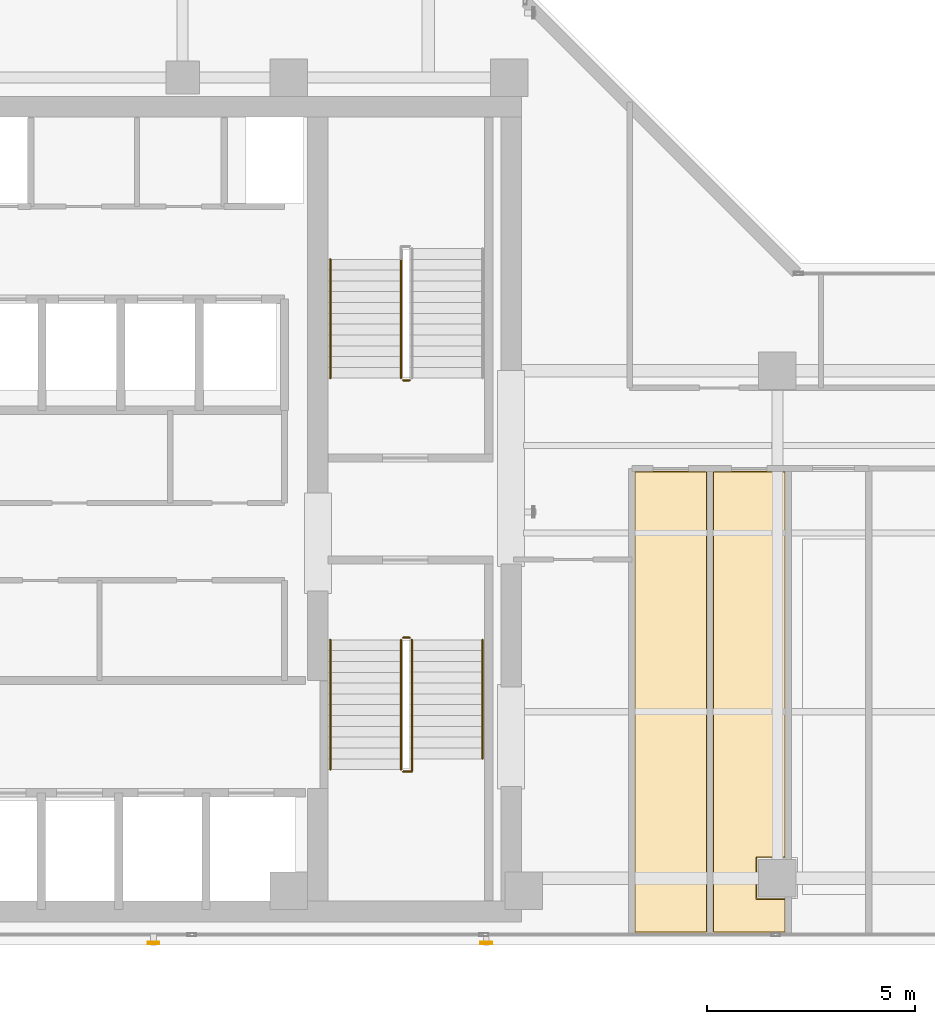
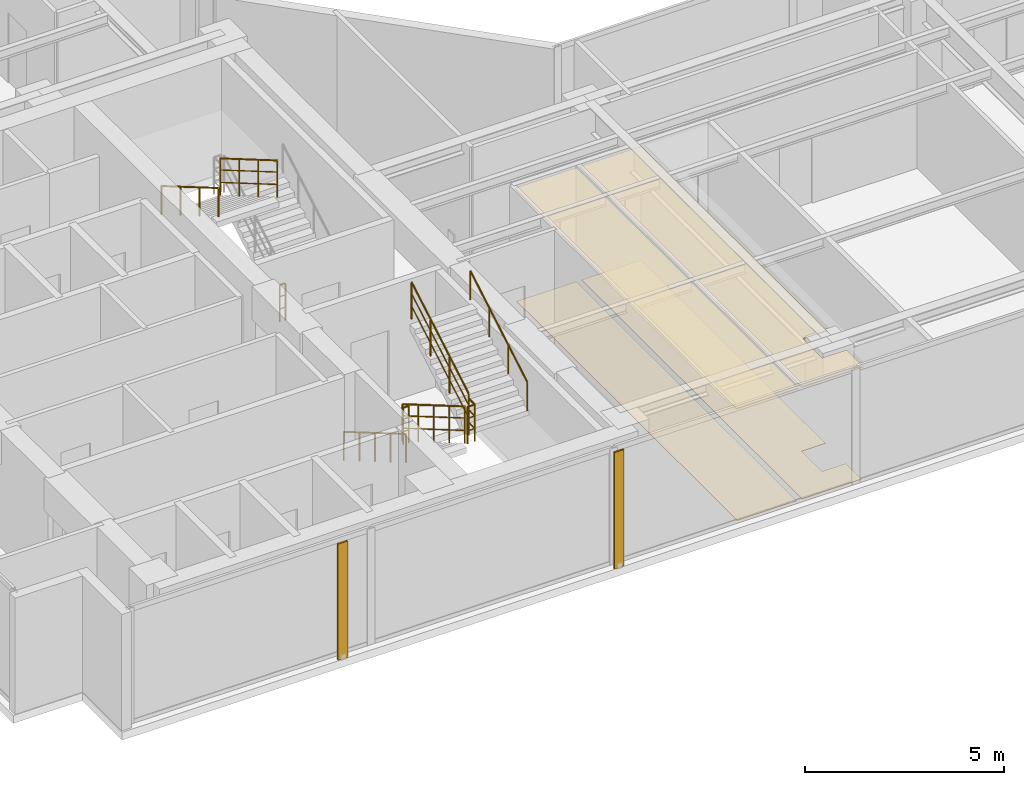
# One storey, part 20 of 23: 9 railings, 4 coverings, 2 shading devices.
"""IFC4 building model written with IfcOpenShell, lengths in metres."""

from ifc_helpers import new_model, si_unit, direction, frame, origin, origin_2d, place, context, subcontext, project, spatial, polyline, hollow_rectangle, circle, outline, extrude, material, layer, layer_set, material_profile, profile_set, type_object, element, save


model = new_model("IFC4")

# Units and contexts
model_context = context("Model", 3, precision=1e-05, world=origin(), true_north=direction((0.0, 1.0)))
body_context = subcontext(model_context, "Body", "Model", "MODEL_VIEW")
ifc_project = project(units=[si_unit("LENGTHUNIT", "METRE"), si_unit("AREAUNIT", "SQUARE_METRE"), si_unit("VOLUMEUNIT", "CUBIC_METRE"), si_unit("PLANEANGLEUNIT", "RADIAN"), si_unit("MASSUNIT", "GRAM", prefix="KILO")], contexts=[model_context])

# Site, building, storey
site_placement = place(None, origin())
site = spatial("IfcSite", under=ifc_project, at=site_placement, CompositionType="ELEMENT")
building_placement = place(site_placement, origin())
building = spatial("IfcBuilding", under=site, at=building_placement, Name="Kolvaren Waterfront Exchange", CompositionType="ELEMENT")
storey_placement = place(building_placement, frame((0.0, 0.0, 270.39990234375)))
storey = spatial("IfcBuildingStorey", under=building, at=storey_placement, Name="L69", CompositionType="ELEMENT", Elevation=270.39990234375)

# Coverings
ifc_material_1 = material(Name="Mineral fibre acoustic ceiling tile")
ifc_layer_1 = layer(ifc_material_1, 0.02490234375, Name="Mineral fibre acoustic ceiling tile")
ifc_layer_set_1 = layer_set([ifc_layer_1], Name="Mineral fibre acoustic ceiling tile")
covering_type_1 = type_object("IfcCoveringType", Name="ARC-CEIL-ACOUSTIC-25", PredefinedType="CEILING", material=ifc_layer_set_1)
covering_1_placement = place(storey_placement, frame((0.0, 0.0, 3.445068359375)))
element("IfcCovering", 1, at=covering_1_placement, inside=storey, type_object=covering_type_1, Name="L69 acoustic suspended ceiling 1", PredefinedType="CEILING", context=body_context, shape_type="SweptSolid", body=[
    extrude(outline(polyline([(25.534912109375, 3.864990234375), (25.534912109375, 14.9951171875), (23.7451171875, 14.9951171875), (23.7451171875, 3.864990234375), (25.534912109375, 3.864990234375)])), origin(), (0.0, 0.0, 1.0), 0.025146484375),
])
covering_2_placement = place(storey_placement, frame((0.0, 0.0, 3.445068359375)))
element("IfcCovering", 2, at=covering_2_placement, inside=storey, type_object=covering_type_1, Name="L69 acoustic suspended ceiling 2", PredefinedType="CEILING", context=body_context, shape_type="SweptSolid", body=[
    extrude(outline(polyline([(27.4150390625, 4.7099609375), (26.7099609375, 4.7099609375), (26.7099609375, 5.68994140625), (27.4150390625, 5.68994140625), (27.4150390625, 14.9951171875), (25.625, 14.9951171875), (25.625, 3.864990234375), (27.4150390625, 3.864990234375), (27.4150390625, 4.7099609375)])), origin(), (0.0, 0.0, 1.0), 0.025146484375),
])

# Shading devices
ifc_material_2 = material(Name="Anodised bronze aluminium 6063-T6", Category="aluminium")
ifc_material_profile = material_profile(ifc_material_2, hollow_rectangle(XDim=0.054931640625, YDim=0.280029296875, WallThickness=0.00439453125, at=origin_2d()), Name="BRZ-FIN-280x55x4.5")
ifc_profile_set = profile_set([ifc_material_profile], Name="Anodised bronze aluminium 6063-T6")
shading_device_type = type_object("IfcShadingDeviceType", Name="ARC-FIN-280", PredefinedType="USERDEFINED", material=ifc_profile_set)
for number, where, z_axis, x_axis, name in (
    (3, (12.199951171875, 3.639892578125, 0.0), (0.0, 0.0, 1.0), (0.0, -1.0, 0.0), "L69 anodised bronze solar shading fin FIN-L69-S1"),
    (4, (20.199951171875, 3.639892578125, 0.0), (0.0, 0.0, 1.0), (0.0, -1.0, 0.0), "L69 anodised bronze solar shading fin FIN-L69-S2"),
):
    element("IfcShadingDevice", number, at=place(storey_placement, frame(where, z_axis=z_axis, x_axis=x_axis)), inside=storey, type_object=shading_device_type, Name=name, ObjectType="SOLAR FIN", PredefinedType="USERDEFINED", context=body_context, shape_type="SweptSolid", body=[
        extrude(hollow_rectangle(XDim=0.054931640625, YDim=0.280029296875, WallThickness=0.00439453125, at=origin_2d()), origin(), (0.0, 0.0, 1.0), 3.56005859375),
    ])

# Coverings
ifc_material_3 = material(Name="Slip-resistant porcelain tile")
ifc_layer_2 = layer(ifc_material_3, 0.014892578125, Name="Slip-resistant porcelain tile")
ifc_layer_set_2 = layer_set([ifc_layer_2], Name="Slip-resistant porcelain tile")
covering_type_2 = type_object("IfcCoveringType", Name="ARC-FLR-PORC-15", PredefinedType="FLOORING", material=ifc_layer_set_2)
covering_3_placement = place(storey_placement, origin())
element("IfcCovering", 5, at=covering_3_placement, inside=storey, type_object=covering_type_2, Name="L69 floor finish 1", PredefinedType="FLOORING", context=body_context, shape_type="SweptSolid", body=[
    extrude(outline(polyline([(23.780029296875, 14.9599609375), (23.780029296875, 3.89990234375), (25.5, 3.89990234375), (25.5, 14.9599609375), (23.780029296875, 14.9599609375)])), origin(), (0.0, 0.0, 1.0), 0.01513671875),
])
covering_4_placement = place(storey_placement, origin())
element("IfcCovering", 6, at=covering_4_placement, inside=storey, type_object=covering_type_2, Name="L69 floor finish 2", PredefinedType="FLOORING", context=body_context, shape_type="SweptSolid", body=[
    extrude(outline(polyline([(25.659912109375, 14.9599609375), (25.659912109375, 3.89990234375), (27.3798828125, 3.89990234375), (27.3798828125, 4.68994140625), (26.68994140625, 4.68994140625), (26.68994140625, 5.7099609375), (27.3798828125, 5.7099609375), (27.3798828125, 14.9599609375), (25.659912109375, 14.9599609375)])), origin(), (0.0, 0.0, 1.0), 0.01513671875),
])

# Railings
ifc_material_4 = material(Name="Stainless steel 316", Category="steel")
railing_type_1 = type_object("IfcRailingType", Name="ARC-GUARD-STAIR", PredefinedType="GUARDRAIL", material=ifc_material_4)
railing_1_placement = place(storey_placement, frame((18.14990234375, 10.929931640625, 0.152099609375)))
element("IfcRailing", 7, at=railing_1_placement, inside=storey, type_object=railing_type_1, Name="L69 ST1 stair guard 1", PredefinedType="GUARDRAIL", context=body_context, shape_type="SweptSolid", body=[
    extrude(circle(Radius=0.02392578125, at=origin_2d()), frame((0.0, 0.0, 1.1259765625), z_axis=(0.0, -0.86329090724, 0.504706656858), x_axis=(1.0, 0.0, 0.0)), (0.0, 0.0, 1.0), 3.614013671875),
    extrude(circle(Radius=0.01611328125, at=origin_2d()), frame((0.0, 0.0, 0.390869140625), z_axis=(0.0, -0.86329090724, 0.504706656858), x_axis=(1.0, 0.0, 0.0)), (0.0, 0.0, 1.0), 3.614013671875),
    extrude(circle(Radius=0.01611328125, at=origin_2d()), frame((0.0, 0.0, 0.7705078125), z_axis=(0.0, -0.86329090724, 0.504706656858), x_axis=(1.0, 0.0, 0.0)), (0.0, 0.0, 1.0), 3.614013671875),
    extrude(circle(Radius=0.02099609375, at=origin_2d()), origin(), (0.0, 0.0, 1.0), 1.101806640625),
    extrude(circle(Radius=0.02099609375, at=origin_2d()), frame((0.0, -0.780029296875, 0.4560546875)), (0.0, 0.0, 1.0), 1.101806640625),
    extrude(circle(Radius=0.02099609375, at=origin_2d()), frame((0.0, -1.56005859375, 0.912109375)), (0.0, 0.0, 1.0), 1.101806640625),
    extrude(circle(Radius=0.02099609375, at=origin_2d()), frame((0.0, -2.33984375, 1.367919921875)), (0.0, 0.0, 1.0), 1.101806640625),
    extrude(circle(Radius=0.02099609375, at=origin_2d()), frame((0.0, -3.119873046875, 1.823974609375)), (0.0, 0.0, 1.0), 1.101806640625),
])
railing_2_placement = place(storey_placement, frame((18.199951171875, 7.760009765625, 1.97607421875)))
element("IfcRailing", 8, at=railing_2_placement, inside=storey, type_object=railing_type_1, Name="L69 ST1 stair guard 2", PredefinedType="GUARDRAIL", context=body_context, shape_type="SweptSolid", body=[
    extrude(circle(Radius=0.02392578125, at=origin_2d()), frame((0.0, 0.0, 1.1259765625), z_axis=(1.0, 0.0, 0.0), x_axis=(0.0, 1.0, 0.0)), (0.0, 0.0, 1.0), 0.2099609375),
    extrude(circle(Radius=0.01611328125, at=origin_2d()), frame((0.0, 0.0, 0.390869140625), z_axis=(1.0, 0.0, 0.0), x_axis=(0.0, 1.0, 0.0)), (0.0, 0.0, 1.0), 0.2099609375),
    extrude(circle(Radius=0.01611328125, at=origin_2d()), frame((0.0, 0.0, 0.7705078125), z_axis=(1.0, 0.0, 0.0), x_axis=(0.0, 1.0, 0.0)), (0.0, 0.0, 1.0), 0.2099609375),
    extrude(circle(Radius=0.02392578125, at=origin_2d()), frame((0.2099609375, 0.0, 1.1259765625), z_axis=(0.0, 1.0, 0.0), x_axis=(-1.0, 0.0, 0.0)), (0.0, 0.0, 1.0), 0.31005859375),
    extrude(circle(Radius=0.01611328125, at=origin_2d()), frame((0.2099609375, 0.0, 0.390869140625), z_axis=(0.0, 1.0, 0.0), x_axis=(-1.0, 0.0, 0.0)), (0.0, 0.0, 1.0), 0.31005859375),
    extrude(circle(Radius=0.01611328125, at=origin_2d()), frame((0.2099609375, 0.0, 0.7705078125), z_axis=(0.0, 1.0, 0.0), x_axis=(-1.0, 0.0, 0.0)), (0.0, 0.0, 1.0), 0.31005859375),
    extrude(circle(Radius=0.02099609375, at=origin_2d()), origin(), (0.0, 0.0, 1.0), 1.101806640625),
    extrude(circle(Radius=0.02099609375, at=origin_2d()), frame((0.2099609375, 0.0, 0.0)), (0.0, 0.0, 1.0), 1.101806640625),
    extrude(circle(Radius=0.02099609375, at=origin_2d()), frame((0.2099609375, 0.31005859375, 0.0)), (0.0, 0.0, 1.0), 1.101806640625),
])
railing_3_placement = place(storey_placement, frame((18.409912109375, 8.070068359375, 2.128173828125)))
element("IfcRailing", 9, at=railing_3_placement, inside=storey, type_object=railing_type_1, Name="L69 ST1 stair guard 3", PredefinedType="GUARDRAIL", context=body_context, shape_type="SweptSolid", body=[
    extrude(circle(Radius=0.02392578125, at=origin_2d()), frame((0.0, 0.0, 1.1259765625), z_axis=(0.0, 0.86330272217, 0.504686447108), x_axis=(-1.0, 0.0, 0.0)), (0.0, 0.0, 1.0), 3.312744140625),
    extrude(circle(Radius=0.01611328125, at=origin_2d()), frame((0.0, 0.0, 0.390869140625), z_axis=(0.0, 0.86330272217, 0.504686447108), x_axis=(-1.0, 0.0, 0.0)), (0.0, 0.0, 1.0), 3.312744140625),
    extrude(circle(Radius=0.01611328125, at=origin_2d()), frame((0.0, 0.0, 0.7705078125), z_axis=(0.0, 0.86330272217, 0.504686447108), x_axis=(-1.0, 0.0, 0.0)), (0.0, 0.0, 1.0), 3.312744140625),
    extrude(circle(Radius=0.02099609375, at=origin_2d()), origin(), (0.0, 0.0, 1.0), 1.101806640625),
    extrude(circle(Radius=0.02099609375, at=origin_2d()), frame((0.0, 0.953369140625, 0.557373046875)), (0.0, 0.0, 1.0), 1.101806640625),
    extrude(circle(Radius=0.02099609375, at=origin_2d()), frame((0.0, 1.906494140625, 1.114501953125)), (0.0, 0.0, 1.0), 1.101806640625),
    extrude(circle(Radius=0.02099609375, at=origin_2d()), frame((0.0, 2.85986328125, 1.671875)), (0.0, 0.0, 1.0), 1.101806640625),
])
railing_4_placement = place(storey_placement, frame((18.199951171875, 10.97998046875, 0.0)))
element("IfcRailing", 10, at=railing_4_placement, inside=storey, type_object=railing_type_1, Name="L69 ST1 stair guard 4", PredefinedType="GUARDRAIL", context=body_context, shape_type="SweptSolid", body=[
    extrude(circle(Radius=0.02392578125, at=origin_2d()), frame((0.0, 0.0, 1.1259765625), z_axis=(1.0, 0.0, 0.0), x_axis=(0.0, 1.0, 0.0)), (0.0, 0.0, 1.0), 0.16015625),
    extrude(circle(Radius=0.01611328125, at=origin_2d()), frame((0.0, 0.0, 0.390869140625), z_axis=(1.0, 0.0, 0.0), x_axis=(0.0, 1.0, 0.0)), (0.0, 0.0, 1.0), 0.16015625),
    extrude(circle(Radius=0.01611328125, at=origin_2d()), frame((0.0, 0.0, 0.7705078125), z_axis=(1.0, 0.0, 0.0), x_axis=(0.0, 1.0, 0.0)), (0.0, 0.0, 1.0), 0.16015625),
    extrude(circle(Radius=0.02099609375, at=origin_2d()), origin(), (0.0, 0.0, 1.0), 1.101806640625),
    extrude(circle(Radius=0.02099609375, at=origin_2d()), frame((0.16015625, 0.0, 0.0)), (0.0, 0.0, 1.0), 1.101806640625),
])
railing_5_placement = place(storey_placement, frame((18.14990234375, 20.080078125, 2.128173828125)))
element("IfcRailing", 11, at=railing_5_placement, inside=storey, type_object=railing_type_1, Name="L69 ST2 stair guard 3", PredefinedType="GUARDRAIL", context=body_context, shape_type="SweptSolid", body=[
    extrude(circle(Radius=0.02392578125, at=origin_2d()), frame((0.0, 0.0, 1.1259765625), z_axis=(0.0, -0.863321491973, 0.504654338629), x_axis=(1.0, 0.0, 0.0)), (0.0, 0.0, 1.0), 3.31298828125),
    extrude(circle(Radius=0.01611328125, at=origin_2d()), frame((0.0, 0.0, 0.390869140625), z_axis=(0.0, -0.863321491973, 0.504654338629), x_axis=(1.0, 0.0, 0.0)), (0.0, 0.0, 1.0), 3.31298828125),
    extrude(circle(Radius=0.01611328125, at=origin_2d()), frame((0.0, 0.0, 0.7705078125), z_axis=(0.0, -0.863321491973, 0.504654338629), x_axis=(1.0, 0.0, 0.0)), (0.0, 0.0, 1.0), 3.31298828125),
    extrude(circle(Radius=0.02099609375, at=origin_2d()), origin(), (0.0, 0.0, 1.0), 1.101806640625),
    extrude(circle(Radius=0.02099609375, at=origin_2d()), frame((0.0, -0.953369140625, 0.557373046875)), (0.0, 0.0, 1.0), 1.101806640625),
    extrude(circle(Radius=0.02099609375, at=origin_2d()), frame((0.0, -1.90673828125, 1.114501953125)), (0.0, 0.0, 1.0), 1.101806640625),
    extrude(circle(Radius=0.02099609375, at=origin_2d()), frame((0.0, -2.860107421875, 1.671875)), (0.0, 0.0, 1.0), 1.101806640625),
])
railing_6_placement = place(storey_placement, frame((18.360107421875, 17.169921875, 0.0)))
element("IfcRailing", 12, at=railing_6_placement, inside=storey, type_object=railing_type_1, Name="L69 ST2 stair guard 4", PredefinedType="GUARDRAIL", context=body_context, shape_type="SweptSolid", body=[
    extrude(circle(Radius=0.02392578125, at=origin_2d()), frame((0.0, 0.0, 1.1259765625), z_axis=(-1.0, 0.0, 0.0), x_axis=(0.0, -1.0, 0.0)), (0.0, 0.0, 1.0), 0.16015625),
    extrude(circle(Radius=0.01611328125, at=origin_2d()), frame((0.0, 0.0, 0.390869140625), z_axis=(-1.0, 0.0, 0.0), x_axis=(0.0, -1.0, 0.0)), (0.0, 0.0, 1.0), 0.16015625),
    extrude(circle(Radius=0.01611328125, at=origin_2d()), frame((0.0, 0.0, 0.7705078125), z_axis=(-1.0, 0.0, 0.0), x_axis=(0.0, -1.0, 0.0)), (0.0, 0.0, 1.0), 0.16015625),
    extrude(circle(Radius=0.02099609375, at=origin_2d()), origin(), (0.0, 0.0, 1.0), 1.101806640625),
    extrude(circle(Radius=0.02099609375, at=origin_2d()), frame((-0.16015625, 0.0, 0.0)), (0.0, 0.0, 1.0), 1.101806640625),
])
railing_type_2 = type_object("IfcRailingType", Name="ARC-HANDRAIL-900", PredefinedType="HANDRAIL", material=ifc_material_4)
railing_7_placement = place(storey_placement, frame((16.449951171875, 10.929931640625, 0.152099609375)))
element("IfcRailing", 13, at=railing_7_placement, inside=storey, type_object=railing_type_2, Name="L69 ST1 stair handrail 1", PredefinedType="HANDRAIL", context=body_context, shape_type="SweptSolid", body=[
    extrude(circle(Radius=0.02392578125, at=origin_2d()), frame((0.0, 0.0, 0.8759765625), z_axis=(0.0, -0.86329090724, 0.504706656858), x_axis=(1.0, 0.0, 0.0)), (0.0, 0.0, 1.0), 3.614013671875),
    extrude(circle(Radius=0.02099609375, at=origin_2d()), origin(), (0.0, 0.0, 1.0), 0.851806640625),
    extrude(circle(Radius=0.02099609375, at=origin_2d()), frame((0.0, -0.780029296875, 0.4560546875)), (0.0, 0.0, 1.0), 0.851806640625),
    extrude(circle(Radius=0.02099609375, at=origin_2d()), frame((0.0, -1.56005859375, 0.912109375)), (0.0, 0.0, 1.0), 0.851806640625),
    extrude(circle(Radius=0.02099609375, at=origin_2d()), frame((0.0, -2.33984375, 1.367919921875)), (0.0, 0.0, 1.0), 0.851806640625),
    extrude(circle(Radius=0.02099609375, at=origin_2d()), frame((0.0, -3.119873046875, 1.823974609375)), (0.0, 0.0, 1.0), 0.851806640625),
])
railing_8_placement = place(storey_placement, frame((20.110107421875, 8.070068359375, 2.128173828125)))
element("IfcRailing", 14, at=railing_8_placement, inside=storey, type_object=railing_type_2, Name="L69 ST1 stair handrail 2", PredefinedType="HANDRAIL", context=body_context, shape_type="SweptSolid", body=[
    extrude(circle(Radius=0.02392578125, at=origin_2d()), frame((0.0, 0.0, 0.8759765625), z_axis=(0.0, 0.86330272217, 0.504686447108), x_axis=(-1.0, 0.0, 0.0)), (0.0, 0.0, 1.0), 3.312744140625),
    extrude(circle(Radius=0.02099609375, at=origin_2d()), origin(), (0.0, 0.0, 1.0), 0.851806640625),
    extrude(circle(Radius=0.02099609375, at=origin_2d()), frame((0.0, 0.953369140625, 0.557373046875)), (0.0, 0.0, 1.0), 0.851806640625),
    extrude(circle(Radius=0.02099609375, at=origin_2d()), frame((0.0, 1.906494140625, 1.114501953125)), (0.0, 0.0, 1.0), 0.851806640625),
    extrude(circle(Radius=0.02099609375, at=origin_2d()), frame((0.0, 2.85986328125, 1.671875)), (0.0, 0.0, 1.0), 0.851806640625),
])
railing_9_placement = place(storey_placement, frame((16.449951171875, 20.080078125, 2.128173828125)))
element("IfcRailing", 15, at=railing_9_placement, inside=storey, type_object=railing_type_2, Name="L69 ST2 stair handrail 2", PredefinedType="HANDRAIL", context=body_context, shape_type="SweptSolid", body=[
    extrude(circle(Radius=0.02392578125, at=origin_2d()), frame((0.0, 0.0, 0.8759765625), z_axis=(0.0, -0.863321491973, 0.504654338629), x_axis=(1.0, 0.0, 0.0)), (0.0, 0.0, 1.0), 3.31298828125),
    extrude(circle(Radius=0.02099609375, at=origin_2d()), origin(), (0.0, 0.0, 1.0), 0.851806640625),
    extrude(circle(Radius=0.02099609375, at=origin_2d()), frame((0.0, -0.953369140625, 0.557373046875)), (0.0, 0.0, 1.0), 0.851806640625),
    extrude(circle(Radius=0.02099609375, at=origin_2d()), frame((0.0, -1.90673828125, 1.114501953125)), (0.0, 0.0, 1.0), 0.851806640625),
    extrude(circle(Radius=0.02099609375, at=origin_2d()), frame((0.0, -2.860107421875, 1.671875)), (0.0, 0.0, 1.0), 0.851806640625),
])

save(model, "model.ifc")
